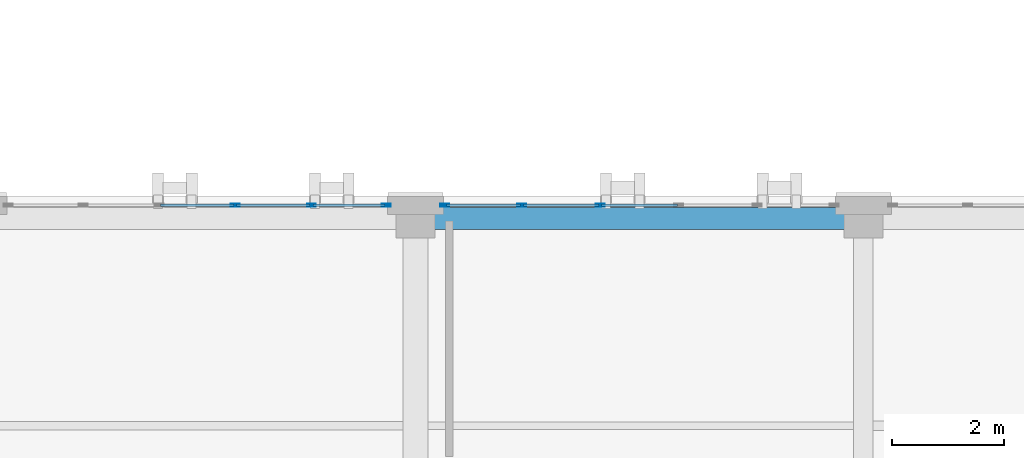
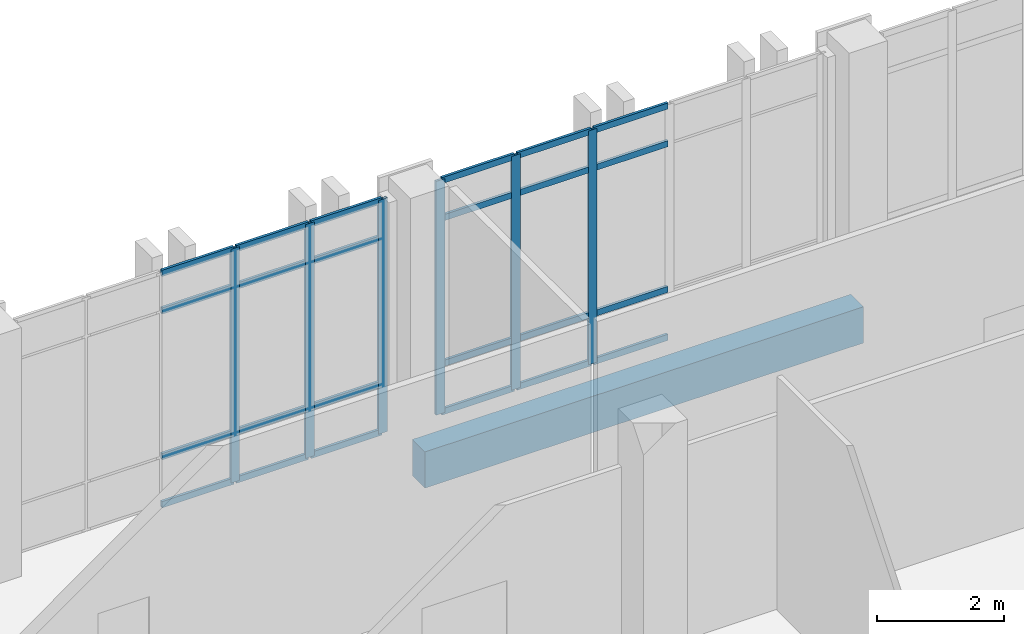
# One storey, part 125 of 189: 30 members, 1 beam, 2 elements without a shape of their own.
"""IFC4 building model written with IfcOpenShell, lengths in metres."""

from ifc_helpers import new_model, si_unit, direction, frame, origin, origin_2d, place, context, subcontext, project, spatial, rectangle, hollow_rectangle, extrude, material, layer, layer_set, material_profile, profile_set, type_object, element, aggregate, save


model = new_model("IFC4")

# Units and contexts
model_context = context("Model", 3, precision=1e-05, world=origin(), true_north=direction((0.0, 1.0)))
body_context = subcontext(model_context, "Body", "Model", "MODEL_VIEW")
ifc_project = project(units=[si_unit("LENGTHUNIT", "METRE"), si_unit("AREAUNIT", "SQUARE_METRE"), si_unit("VOLUMEUNIT", "CUBIC_METRE"), si_unit("PLANEANGLEUNIT", "RADIAN"), si_unit("MASSUNIT", "GRAM", prefix="KILO")], contexts=[model_context])

# Site, building, storey
site_placement = place(None, origin())
site = spatial("IfcSite", under=ifc_project, at=site_placement, CompositionType="ELEMENT")
building_placement = place(site_placement, origin())
building = spatial("IfcBuilding", under=site, at=building_placement, Name="Qalavern Law Courts", CompositionType="ELEMENT")
storey_placement = place(building_placement, frame((0.0, 0.0, 5.39990234375)))
storey = spatial("IfcBuildingStorey", under=building, at=storey_placement, Name="L01", CompositionType="ELEMENT", Elevation=5.39990234375)

# Curtain wall, members
ifc_material_1 = material(Name="Anodised aluminium and insulated glazing", Category="aluminium")
ifc_layer = layer(ifc_material_1, 0.172119140625)
ifc_layer_set = layer_set([ifc_layer], Name="Anodised aluminium and insulated glazing")
curtain_wall_type = type_object("IfcCurtainWallType", Name="ENV-CW-COURT", PredefinedType="USERDEFINED", material=ifc_layer_set)
curtain_wall_1_placement = place(storey_placement, origin())
curtain_wall_1 = element("IfcCurtainWall", 1, at=curtain_wall_1_placement, inside=storey, type_object=curtain_wall_type, Name="V6 unitised curtain wall L01 north 2", ObjectType="UNITISED CURTAIN WALL", PredefinedType="USERDEFINED")
ifc_material_2 = material(Name="Anodised aluminium", Category="aluminium")
ifc_material_profile_1 = material_profile(ifc_material_2, hollow_rectangle(XDim=0.048095703125, YDim=0.159912109375, WallThickness=0.00390625, at=origin_2d()), Name="ALU MULLION 48x160")
ifc_profile_set_1 = profile_set([ifc_material_profile_1], Name="Anodised aluminium")
member_type_1 = type_object("IfcMemberType", Name="ENV-CWM-48x160", PredefinedType="MULLION", material=ifc_profile_set_1)
member_1_placement = place(storey_placement, frame((153.10009765625, 22.4375, 0.0), z_axis=(0.0, 0.0, 1.0), x_axis=(0.0, -1.0, 0.0)))
member_1 = element("IfcMember", 2, at=member_1_placement, type_object=member_type_1, Name="CW-03 mullion 4", PredefinedType="MULLION", context=body_context, shape_type="SweptSolid", body=[
    extrude(hollow_rectangle(XDim=0.048095703125, YDim=0.159912109375, WallThickness=0.00390625, at=origin_2d()), origin(), (0.0, 0.0, 1.0), 4.510009765625),
])
member_2_placement = place(storey_placement, frame((151.699951171875, 22.4375, 0.0), z_axis=(0.0, 0.0, 1.0), x_axis=(0.0, -1.0, 0.0)))
member_2 = element("IfcMember", 3, at=member_2_placement, type_object=member_type_1, Name="CW-03 mullion 5", PredefinedType="MULLION", context=body_context, shape_type="SweptSolid", body=[
    extrude(hollow_rectangle(XDim=0.048095703125, YDim=0.159912109375, WallThickness=0.00390625, at=origin_2d()), origin(), (0.0, 0.0, 1.0), 4.510009765625),
])
member_3_placement = place(storey_placement, frame((150.323974609375, 22.4375, 0.0), z_axis=(0.0, 0.0, 1.0), x_axis=(0.0, -1.0, 0.0)))
member_3 = element("IfcMember", 4, at=member_3_placement, type_object=member_type_1, Name="CW-03 mullion 6", PredefinedType="MULLION", context=body_context, shape_type="SweptSolid", body=[
    extrude(hollow_rectangle(XDim=0.048095703125, YDim=0.159912109375, WallThickness=0.00390625, at=origin_2d()), origin(), (0.0, 0.0, 1.0), 4.510009765625),
])

curtain_wall_2_placement = place(storey_placement, origin())
curtain_wall_2 = element("IfcCurtainWall", 5, at=curtain_wall_2_placement, inside=storey, type_object=curtain_wall_type, Name="V6 unitised curtain wall L01 north 3", ObjectType="UNITISED CURTAIN WALL", PredefinedType="USERDEFINED")
member_4_placement = place(storey_placement, frame((149.27587890625, 22.4375, 0.0), z_axis=(0.0, 0.0, 1.0), x_axis=(0.0, -1.0, 0.0)))
member_4 = element("IfcMember", 6, at=member_4_placement, type_object=member_type_1, Name="CW-03 mullion 1", PredefinedType="MULLION", context=body_context, shape_type="SweptSolid", body=[
    extrude(hollow_rectangle(XDim=0.048095703125, YDim=0.159912109375, WallThickness=0.00390625, at=origin_2d()), origin(), (0.0, 0.0, 1.0), 4.510009765625),
])
member_5_placement = place(storey_placement, frame((147.93994140625, 22.4375, 0.0), z_axis=(0.0, 0.0, 1.0), x_axis=(0.0, -1.0, 0.0)))
member_5 = element("IfcMember", 7, at=member_5_placement, type_object=member_type_1, Name="CW-03 mullion 2", PredefinedType="MULLION", context=body_context, shape_type="SweptSolid", body=[
    extrude(hollow_rectangle(XDim=0.048095703125, YDim=0.159912109375, WallThickness=0.00390625, at=origin_2d()), origin(), (0.0, 0.0, 1.0), 4.510009765625),
])
member_6_placement = place(storey_placement, frame((146.580078125, 22.4375, 0.0), z_axis=(0.0, 0.0, 1.0), x_axis=(0.0, -1.0, 0.0)))
member_6 = element("IfcMember", 8, at=member_6_placement, type_object=member_type_1, Name="CW-03 mullion 3", PredefinedType="MULLION", context=body_context, shape_type="SweptSolid", body=[
    extrude(hollow_rectangle(XDim=0.048095703125, YDim=0.159912109375, WallThickness=0.00390625, at=origin_2d()), origin(), (0.0, 0.0, 1.0), 4.510009765625),
])

# Member
ifc_material_profile_2 = material_profile(ifc_material_2, hollow_rectangle(XDim=0.048095703125, YDim=0.1201171875, WallThickness=0.00390625, at=origin_2d()), Name="ALU TRANSOM 48x120")
ifc_profile_set_2 = profile_set([ifc_material_profile_2], Name="Anodised aluminium")
member_type_2 = type_object("IfcMemberType", Name="ENV-CWT-48x120", PredefinedType="USERDEFINED", material=ifc_profile_set_2)
member_7_placement = place(storey_placement, frame((154.47607421875, 22.4375, 0.024169921875), z_axis=(-1.0, 0.0, 0.0), x_axis=(0.0, -1.0, 0.0)))
member_7 = element("IfcMember", 9, at=member_7_placement, type_object=member_type_2, Name="CW-03 transom 3.1", ObjectType="TRANSOM", PredefinedType="USERDEFINED", context=body_context, shape_type="SweptSolid", body=[
    extrude(hollow_rectangle(XDim=0.048095703125, YDim=0.1201171875, WallThickness=0.00390625, at=origin_2d()), origin(), (0.0, 0.0, 1.0), 1.35205078125),
])

member_8_placement = place(storey_placement, frame((154.47607421875, 22.4375, 0.9501953125), z_axis=(-1.0, 0.0, 0.0), x_axis=(0.0, -1.0, 0.0)))
member_8 = element("IfcMember", 10, at=member_8_placement, type_object=member_type_2, Name="CW-03 transom 3.2", ObjectType="TRANSOM", PredefinedType="USERDEFINED", context=body_context, shape_type="SweptSolid", body=[
    extrude(hollow_rectangle(XDim=0.048095703125, YDim=0.1201171875, WallThickness=0.00390625, at=origin_2d()), origin(), (0.0, 0.0, 1.0), 1.35205078125),
])

member_9_placement = place(storey_placement, frame((154.47607421875, 22.4375, 3.760009765625), z_axis=(-1.0, 0.0, 0.0), x_axis=(0.0, -1.0, 0.0)))
member_9 = element("IfcMember", 11, at=member_9_placement, type_object=member_type_2, Name="CW-03 transom 3.3", ObjectType="TRANSOM", PredefinedType="USERDEFINED", context=body_context, shape_type="SweptSolid", body=[
    extrude(hollow_rectangle(XDim=0.048095703125, YDim=0.1201171875, WallThickness=0.00390625, at=origin_2d()), origin(), (0.0, 0.0, 1.0), 1.35205078125),
])

member_10_placement = place(storey_placement, frame((154.47607421875, 22.4375, 4.486083984375), z_axis=(-1.0, 0.0, 0.0), x_axis=(0.0, -1.0, 0.0)))
member_10 = element("IfcMember", 12, at=member_10_placement, type_object=member_type_2, Name="CW-03 transom 3.4", ObjectType="TRANSOM", PredefinedType="USERDEFINED", context=body_context, shape_type="SweptSolid", body=[
    extrude(hollow_rectangle(XDim=0.048095703125, YDim=0.1201171875, WallThickness=0.00390625, at=origin_2d()), origin(), (0.0, 0.0, 1.0), 1.35205078125),
])

member_11_placement = place(storey_placement, frame((153.075927734375, 22.4375, 0.024169921875), z_axis=(-1.0, 0.0, 0.0), x_axis=(0.0, -1.0, 0.0)))
member_11 = element("IfcMember", 13, at=member_11_placement, type_object=member_type_2, Name="CW-03 transom 4.1", ObjectType="TRANSOM", PredefinedType="USERDEFINED", context=body_context, shape_type="SweptSolid", body=[
    extrude(hollow_rectangle(XDim=0.048095703125, YDim=0.1201171875, WallThickness=0.00390625, at=origin_2d()), origin(), (0.0, 0.0, 1.0), 1.351806640625),
])

member_12_placement = place(storey_placement, frame((153.075927734375, 22.4375, 0.9501953125), z_axis=(-1.0, 0.0, 0.0), x_axis=(0.0, -1.0, 0.0)))
member_12 = element("IfcMember", 14, at=member_12_placement, type_object=member_type_2, Name="CW-03 transom 4.2", ObjectType="TRANSOM", PredefinedType="USERDEFINED", context=body_context, shape_type="SweptSolid", body=[
    extrude(hollow_rectangle(XDim=0.048095703125, YDim=0.1201171875, WallThickness=0.00390625, at=origin_2d()), origin(), (0.0, 0.0, 1.0), 1.351806640625),
])

member_13_placement = place(storey_placement, frame((153.075927734375, 22.4375, 3.760009765625), z_axis=(-1.0, 0.0, 0.0), x_axis=(0.0, -1.0, 0.0)))
member_13 = element("IfcMember", 15, at=member_13_placement, type_object=member_type_2, Name="CW-03 transom 4.3", ObjectType="TRANSOM", PredefinedType="USERDEFINED", context=body_context, shape_type="SweptSolid", body=[
    extrude(hollow_rectangle(XDim=0.048095703125, YDim=0.1201171875, WallThickness=0.00390625, at=origin_2d()), origin(), (0.0, 0.0, 1.0), 1.351806640625),
])

member_14_placement = place(storey_placement, frame((153.075927734375, 22.4375, 4.486083984375), z_axis=(-1.0, 0.0, 0.0), x_axis=(0.0, -1.0, 0.0)))
member_14 = element("IfcMember", 16, at=member_14_placement, type_object=member_type_2, Name="CW-03 transom 4.4", ObjectType="TRANSOM", PredefinedType="USERDEFINED", context=body_context, shape_type="SweptSolid", body=[
    extrude(hollow_rectangle(XDim=0.048095703125, YDim=0.1201171875, WallThickness=0.00390625, at=origin_2d()), origin(), (0.0, 0.0, 1.0), 1.351806640625),
])

member_15_placement = place(storey_placement, frame((151.676025390625, 22.4375, 0.024169921875), z_axis=(-1.0, 0.0, 0.0), x_axis=(0.0, -1.0, 0.0)))
member_15 = element("IfcMember", 17, at=member_15_placement, type_object=member_type_2, Name="CW-03 transom 5.1", ObjectType="TRANSOM", PredefinedType="USERDEFINED", context=body_context, shape_type="SweptSolid", body=[
    extrude(hollow_rectangle(XDim=0.048095703125, YDim=0.1201171875, WallThickness=0.00390625, at=origin_2d()), origin(), (0.0, 0.0, 1.0), 1.328125),
])

member_16_placement = place(storey_placement, frame((151.676025390625, 22.4375, 0.9501953125), z_axis=(-1.0, 0.0, 0.0), x_axis=(0.0, -1.0, 0.0)))
member_16 = element("IfcMember", 18, at=member_16_placement, type_object=member_type_2, Name="CW-03 transom 5.2", ObjectType="TRANSOM", PredefinedType="USERDEFINED", context=body_context, shape_type="SweptSolid", body=[
    extrude(hollow_rectangle(XDim=0.048095703125, YDim=0.1201171875, WallThickness=0.00390625, at=origin_2d()), origin(), (0.0, 0.0, 1.0), 1.328125),
])

member_17_placement = place(storey_placement, frame((151.676025390625, 22.4375, 3.760009765625), z_axis=(-1.0, 0.0, 0.0), x_axis=(0.0, -1.0, 0.0)))
member_17 = element("IfcMember", 19, at=member_17_placement, type_object=member_type_2, Name="CW-03 transom 5.3", ObjectType="TRANSOM", PredefinedType="USERDEFINED", context=body_context, shape_type="SweptSolid", body=[
    extrude(hollow_rectangle(XDim=0.048095703125, YDim=0.1201171875, WallThickness=0.00390625, at=origin_2d()), origin(), (0.0, 0.0, 1.0), 1.328125),
])

member_18_placement = place(storey_placement, frame((151.676025390625, 22.4375, 4.486083984375), z_axis=(-1.0, 0.0, 0.0), x_axis=(0.0, -1.0, 0.0)))
member_18 = element("IfcMember", 20, at=member_18_placement, type_object=member_type_2, Name="CW-03 transom 5.4", ObjectType="TRANSOM", PredefinedType="USERDEFINED", context=body_context, shape_type="SweptSolid", body=[
    extrude(hollow_rectangle(XDim=0.048095703125, YDim=0.1201171875, WallThickness=0.00390625, at=origin_2d()), origin(), (0.0, 0.0, 1.0), 1.328125),
])

aggregate(curtain_wall_1, [member_1, member_2, member_3, member_7, member_8, member_9, member_10, member_11, member_12, member_13, member_14, member_15, member_16, member_17, member_18])

member_19_placement = place(storey_placement, frame((149.251953125, 22.4375, 0.024169921875), z_axis=(-1.0, 0.0, 0.0), x_axis=(0.0, -1.0, 0.0)))
member_19 = element("IfcMember", 21, at=member_19_placement, type_object=member_type_2, Name="CW-03 transom 1.1", ObjectType="TRANSOM", PredefinedType="USERDEFINED", context=body_context, shape_type="SweptSolid", body=[
    extrude(hollow_rectangle(XDim=0.048095703125, YDim=0.1201171875, WallThickness=0.00390625, at=origin_2d()), origin(), (0.0, 0.0, 1.0), 1.287841796875),
])

member_20_placement = place(storey_placement, frame((149.251953125, 22.4375, 0.9501953125), z_axis=(-1.0, 0.0, 0.0), x_axis=(0.0, -1.0, 0.0)))
member_20 = element("IfcMember", 22, at=member_20_placement, type_object=member_type_2, Name="CW-03 transom 1.2", ObjectType="TRANSOM", PredefinedType="USERDEFINED", context=body_context, shape_type="SweptSolid", body=[
    extrude(hollow_rectangle(XDim=0.048095703125, YDim=0.1201171875, WallThickness=0.00390625, at=origin_2d()), origin(), (0.0, 0.0, 1.0), 1.287841796875),
])

member_21_placement = place(storey_placement, frame((149.251953125, 22.4375, 3.760009765625), z_axis=(-1.0, 0.0, 0.0), x_axis=(0.0, -1.0, 0.0)))
member_21 = element("IfcMember", 23, at=member_21_placement, type_object=member_type_2, Name="CW-03 transom 1.3", ObjectType="TRANSOM", PredefinedType="USERDEFINED", context=body_context, shape_type="SweptSolid", body=[
    extrude(hollow_rectangle(XDim=0.048095703125, YDim=0.1201171875, WallThickness=0.00390625, at=origin_2d()), origin(), (0.0, 0.0, 1.0), 1.287841796875),
])

member_22_placement = place(storey_placement, frame((149.251953125, 22.4375, 4.486083984375), z_axis=(-1.0, 0.0, 0.0), x_axis=(0.0, -1.0, 0.0)))
member_22 = element("IfcMember", 24, at=member_22_placement, type_object=member_type_2, Name="CW-03 transom 1.4", ObjectType="TRANSOM", PredefinedType="USERDEFINED", context=body_context, shape_type="SweptSolid", body=[
    extrude(hollow_rectangle(XDim=0.048095703125, YDim=0.1201171875, WallThickness=0.00390625, at=origin_2d()), origin(), (0.0, 0.0, 1.0), 1.287841796875),
])

member_23_placement = place(storey_placement, frame((147.916015625, 22.4375, 0.024169921875), z_axis=(-1.0, 0.0, 0.0), x_axis=(0.0, -1.0, 0.0)))
member_23 = element("IfcMember", 25, at=member_23_placement, type_object=member_type_2, Name="CW-03 transom 2.1", ObjectType="TRANSOM", PredefinedType="USERDEFINED", context=body_context, shape_type="SweptSolid", body=[
    extrude(hollow_rectangle(XDim=0.048095703125, YDim=0.1201171875, WallThickness=0.00390625, at=origin_2d()), origin(), (0.0, 0.0, 1.0), 1.31201171875),
])

member_24_placement = place(storey_placement, frame((147.916015625, 22.4375, 0.9501953125), z_axis=(-1.0, 0.0, 0.0), x_axis=(0.0, -1.0, 0.0)))
member_24 = element("IfcMember", 26, at=member_24_placement, type_object=member_type_2, Name="CW-03 transom 2.2", ObjectType="TRANSOM", PredefinedType="USERDEFINED", context=body_context, shape_type="SweptSolid", body=[
    extrude(hollow_rectangle(XDim=0.048095703125, YDim=0.1201171875, WallThickness=0.00390625, at=origin_2d()), origin(), (0.0, 0.0, 1.0), 1.31201171875),
])

member_25_placement = place(storey_placement, frame((147.916015625, 22.4375, 3.760009765625), z_axis=(-1.0, 0.0, 0.0), x_axis=(0.0, -1.0, 0.0)))
member_25 = element("IfcMember", 27, at=member_25_placement, type_object=member_type_2, Name="CW-03 transom 2.3", ObjectType="TRANSOM", PredefinedType="USERDEFINED", context=body_context, shape_type="SweptSolid", body=[
    extrude(hollow_rectangle(XDim=0.048095703125, YDim=0.1201171875, WallThickness=0.00390625, at=origin_2d()), origin(), (0.0, 0.0, 1.0), 1.31201171875),
])

member_26_placement = place(storey_placement, frame((147.916015625, 22.4375, 4.486083984375), z_axis=(-1.0, 0.0, 0.0), x_axis=(0.0, -1.0, 0.0)))
member_26 = element("IfcMember", 28, at=member_26_placement, type_object=member_type_2, Name="CW-03 transom 2.4", ObjectType="TRANSOM", PredefinedType="USERDEFINED", context=body_context, shape_type="SweptSolid", body=[
    extrude(hollow_rectangle(XDim=0.048095703125, YDim=0.1201171875, WallThickness=0.00390625, at=origin_2d()), origin(), (0.0, 0.0, 1.0), 1.31201171875),
])

member_27_placement = place(storey_placement, frame((146.555908203125, 22.4375, 0.024169921875), z_axis=(-1.0, 0.0, 0.0), x_axis=(0.0, -1.0, 0.0)))
member_27 = element("IfcMember", 29, at=member_27_placement, type_object=member_type_2, Name="CW-03 transom 3.1", ObjectType="TRANSOM", PredefinedType="USERDEFINED", context=body_context, shape_type="SweptSolid", body=[
    extrude(hollow_rectangle(XDim=0.048095703125, YDim=0.1201171875, WallThickness=0.00390625, at=origin_2d()), origin(), (0.0, 0.0, 1.0), 1.31201171875),
])

member_28_placement = place(storey_placement, frame((146.555908203125, 22.4375, 0.9501953125), z_axis=(-1.0, 0.0, 0.0), x_axis=(0.0, -1.0, 0.0)))
member_28 = element("IfcMember", 30, at=member_28_placement, type_object=member_type_2, Name="CW-03 transom 3.2", ObjectType="TRANSOM", PredefinedType="USERDEFINED", context=body_context, shape_type="SweptSolid", body=[
    extrude(hollow_rectangle(XDim=0.048095703125, YDim=0.1201171875, WallThickness=0.00390625, at=origin_2d()), origin(), (0.0, 0.0, 1.0), 1.31201171875),
])

member_29_placement = place(storey_placement, frame((146.555908203125, 22.4375, 3.760009765625), z_axis=(-1.0, 0.0, 0.0), x_axis=(0.0, -1.0, 0.0)))
member_29 = element("IfcMember", 31, at=member_29_placement, type_object=member_type_2, Name="CW-03 transom 3.3", ObjectType="TRANSOM", PredefinedType="USERDEFINED", context=body_context, shape_type="SweptSolid", body=[
    extrude(hollow_rectangle(XDim=0.048095703125, YDim=0.1201171875, WallThickness=0.00390625, at=origin_2d()), origin(), (0.0, 0.0, 1.0), 1.31201171875),
])

member_30_placement = place(storey_placement, frame((146.555908203125, 22.4375, 4.486083984375), z_axis=(-1.0, 0.0, 0.0), x_axis=(0.0, -1.0, 0.0)))
member_30 = element("IfcMember", 32, at=member_30_placement, type_object=member_type_2, Name="CW-03 transom 3.4", ObjectType="TRANSOM", PredefinedType="USERDEFINED", context=body_context, shape_type="SweptSolid", body=[
    extrude(hollow_rectangle(XDim=0.048095703125, YDim=0.1201171875, WallThickness=0.00390625, at=origin_2d()), origin(), (0.0, 0.0, 1.0), 1.31201171875),
])

aggregate(curtain_wall_2, [member_4, member_5, member_6, member_19, member_20, member_21, member_22, member_23, member_24, member_25, member_26, member_27, member_28, member_29, member_30])

# Beam
ifc_material_3 = material(Name="Concrete C40/50", Category="concrete")
ifc_material_profile_3 = material_profile(ifc_material_3, rectangle(XDim=0.39990234375, YDim=0.699951171875, at=origin_2d()), Name="RC 400x700")
ifc_profile_set_3 = profile_set([ifc_material_profile_3], Name="Concrete C40/50")
beam_type = type_object("IfcBeamType", Name="STR-SP-RC400x700", PredefinedType="SPANDREL", material=ifc_profile_set_3)
beam_placement = place(storey_placement, frame((149.800048828125, 22.199951171875, -0.64990234375), z_axis=(1.0, 0.0, 0.0), x_axis=(0.0, 1.0, 0.0)))
element("IfcBeam", 33, at=beam_placement, inside=storey, type_object=beam_type, Name="V6 X-beam 4-7 L01", PredefinedType="SPANDREL", context=body_context, shape_type="SweptSolid", body=[
    extrude(rectangle(XDim=0.39990234375, YDim=0.699951171875, at=origin_2d()), origin(), (0.0, 0.0, 1.0), 8.0),
])

save(model, "model.ifc")
